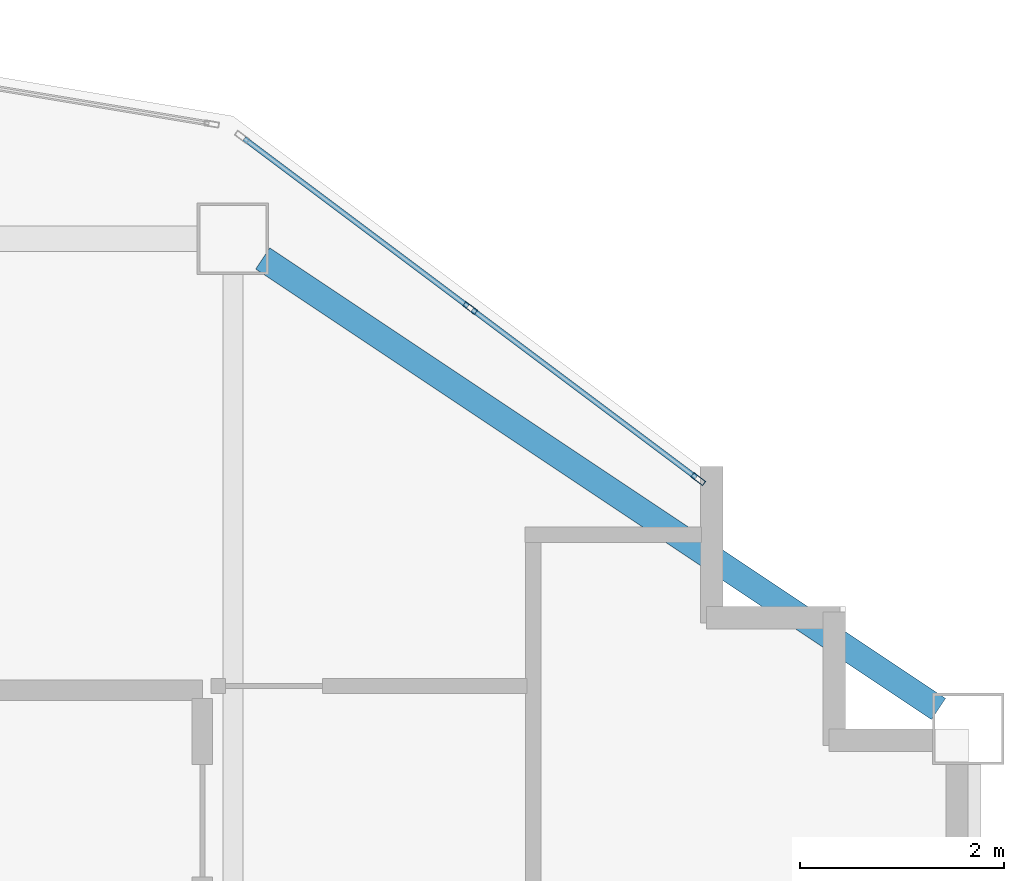
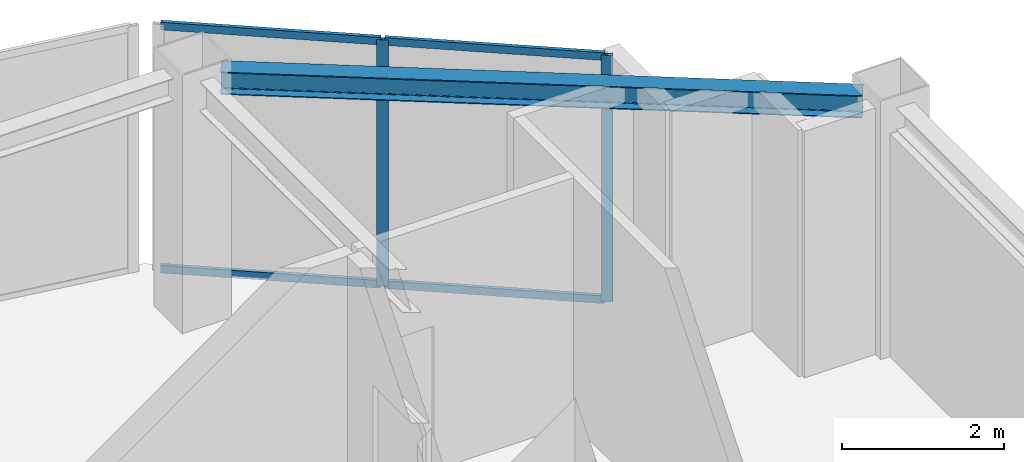
# One storey, part 2 of 8: 6 members, 1 beam, 1 element without a shape of its own.
"""IFC4 building model written with IfcOpenShell, lengths in metres."""

from ifc_helpers import new_model, si_unit, direction, frame, origin, origin_2d, place, context, subcontext, project, spatial, hollow_rectangle, i_section, extrude, material, layer, layer_set, material_profile, profile_set, type_object, element, aggregate, save


model = new_model("IFC4")

# Units and contexts
model_context = context("Model", 3, precision=1e-05, world=origin(), true_north=direction((0.0, 1.0)))
body_context = subcontext(model_context, "Body", "Model", "MODEL_VIEW")
ifc_project = project(units=[si_unit("LENGTHUNIT", "METRE"), si_unit("AREAUNIT", "SQUARE_METRE"), si_unit("VOLUMEUNIT", "CUBIC_METRE"), si_unit("PLANEANGLEUNIT", "RADIAN"), si_unit("MASSUNIT", "GRAM", prefix="KILO")], contexts=[model_context])

# Site, building, storey
site_placement = place(None, origin())
site = spatial("IfcSite", under=ifc_project, at=site_placement, CompositionType="ELEMENT")
building_placement = place(site_placement, origin())
building = spatial("IfcBuilding", under=site, at=building_placement, Name="Haolan Belvedere Tower", CompositionType="ELEMENT")
storey_placement = place(building_placement, frame((0.0, 0.0, 301.699951171875)))
storey = spatial("IfcBuildingStorey", under=building, at=storey_placement, Name="L76", CompositionType="ELEMENT", Elevation=301.699951171875)

# Beam
ifc_material_1 = material(Name="Steel Q355B", Category="steel")
ifc_material_profile_1 = material_profile(ifc_material_1, i_section(OverallWidth=0.25, OverallDepth=0.340087890625, WebThickness=0.009033203125, FlangeThickness=0.013916015625, FilletRadius=0.02001953125, at=origin_2d()), Name="Steel Q355B")
ifc_profile_set_1 = profile_set([ifc_material_profile_1], Name="Steel Q355B")
beam_type = type_object("IfcBeamType", Name="BM-HM340x250x9x14", PredefinedType="SPANDREL", material=ifc_profile_set_1)
beam_placement = place(storey_placement, frame((45.89111328125, 50.205810546875, 3.550048828125), z_axis=(0.832059739299, -0.554686028522, 0.0), x_axis=(0.554686028522, 0.832059739299, 0.0)))
element("IfcBeam", 1, at=beam_placement, inside=storey, type_object=beam_type, Name="L76 spandrel girder MC-T3-N2-MC-T3-NE", PredefinedType="SPANDREL", context=body_context, shape_type="SweptSolid", body=[
    extrude(i_section(OverallWidth=0.25, OverallDepth=0.340087890625, WebThickness=0.009033203125, FlangeThickness=0.013916015625, FilletRadius=0.02001953125, at=origin_2d()), origin(), (0.0, 0.0, 1.0), 7.953369140625),
])

# Curtain wall, members
ifc_material_2 = material(Name="Anodised champagne-silver aluminium 6063-T6 and Low-E glass", Category="aluminium")
ifc_layer = layer(ifc_material_2, 0.14501953125, Name="Anodised champagne-silver aluminium 6063-T6 and Low-E glass")
ifc_layer_set = layer_set([ifc_layer], Name="Anodised champagne-silver aluminium 6063-T6 and Low-E glass")
curtain_wall_type = type_object("IfcCurtainWallType", Name="CW-SYS-05", PredefinedType="NOTDEFINED", material=ifc_layer_set)
curtain_wall_placement = place(storey_placement, origin())
curtain_wall = element("IfcCurtainWall", 2, at=curtain_wall_placement, inside=storey, type_object=curtain_wall_type, Name="L76 CW-SYS-05 ribbon curtain wall 8.1", PredefinedType="NOTDEFINED")
ifc_material_3 = material(Name="Anodised aluminium 6063-T6", Category="aluminium")
ifc_material_profile_2 = material_profile(ifc_material_3, hollow_rectangle(XDim=0.053955078125, YDim=0.14501953125, WallThickness=0.00390625, at=origin_2d()), Name="Anodised aluminium 6063-T6")
ifc_profile_set_2 = profile_set([ifc_material_profile_2], Name="Anodised aluminium 6063-T6")
member_type_1 = type_object("IfcMemberType", Name="CW-SYS-05-MUL", PredefinedType="MULLION", material=ifc_profile_set_2)
member_1_placement = place(storey_placement, frame((50.156494140625, 48.045166015625, 0.0), z_axis=(0.0, 0.0, 1.0), x_axis=(-0.600002837806, -0.799997871638, 0.0)))
member_1 = element("IfcMember", 3, at=member_1_placement, type_object=member_type_1, Name="CW-05 mullion 1", PredefinedType="MULLION", context=body_context, shape_type="SweptSolid", body=[
    extrude(hollow_rectangle(XDim=0.053955078125, YDim=0.14501953125, WallThickness=0.00390625, at=origin_2d()), origin(), (0.0, 0.0, 1.0), 3.719970703125),
])
member_2_placement = place(storey_placement, frame((47.9228515625, 49.720458984375, 0.0), z_axis=(0.0, 0.0, 1.0), x_axis=(-0.600002837806, -0.799997871638, 0.0)))
member_2 = element("IfcMember", 4, at=member_2_placement, type_object=member_type_1, Name="CW-05 mullion 2", PredefinedType="MULLION", context=body_context, shape_type="SweptSolid", body=[
    extrude(hollow_rectangle(XDim=0.053955078125, YDim=0.14501953125, WallThickness=0.00390625, at=origin_2d()), origin(), (0.0, 0.0, 1.0), 3.719970703125),
])
ifc_material_profile_3 = material_profile(ifc_material_3, hollow_rectangle(XDim=0.050048828125, YDim=0.114990234375, WallThickness=0.00390625, at=origin_2d()), Name="Anodised aluminium 6063-T6")
ifc_profile_set_3 = profile_set([ifc_material_profile_3], Name="Anodised aluminium 6063-T6")
member_type_2 = type_object("IfcMemberType", Name="CW-SYS-05-TRN", PredefinedType="USERDEFINED", material=ifc_profile_set_3)
member_3_placement = place(storey_placement, frame((50.134765625, 48.061279296875, 0.025146484375), z_axis=(-0.799957200433, 0.60005706185, 0.0), x_axis=(-0.60005706185, -0.799957200433, 0.0)))
member_3 = element("IfcMember", 5, at=member_3_placement, type_object=member_type_2, Name="CW-05 transom 1.1", ObjectType="TRANSOM", PredefinedType="USERDEFINED", context=body_context, shape_type="SweptSolid", body=[
    extrude(hollow_rectangle(XDim=0.050048828125, YDim=0.114990234375, WallThickness=0.00390625, at=origin_2d()), origin(), (0.0, 0.0, 1.0), 2.73828125),
])
member_4_placement = place(storey_placement, frame((50.134765625, 48.061279296875, 3.695068359375), z_axis=(-0.799957200433, 0.60005706185, 0.0), x_axis=(-0.60005706185, -0.799957200433, 0.0)))
member_4 = element("IfcMember", 6, at=member_4_placement, type_object=member_type_2, Name="CW-05 transom 1.2", ObjectType="TRANSOM", PredefinedType="USERDEFINED", context=body_context, shape_type="SweptSolid", body=[
    extrude(hollow_rectangle(XDim=0.050048828125, YDim=0.114990234375, WallThickness=0.00390625, at=origin_2d()), origin(), (0.0, 0.0, 1.0), 2.73828125),
])
member_5_placement = place(storey_placement, frame((47.901123046875, 49.736572265625, 0.025146484375), z_axis=(-0.8, 0.6, 0.0), x_axis=(-0.6, -0.8, 0.0)))
member_5 = element("IfcMember", 7, at=member_5_placement, type_object=member_type_2, Name="CW-05 transom 2.1", ObjectType="TRANSOM", PredefinedType="USERDEFINED", context=body_context, shape_type="SweptSolid", body=[
    extrude(hollow_rectangle(XDim=0.050048828125, YDim=0.114990234375, WallThickness=0.00390625, at=origin_2d()), origin(), (0.0, 0.0, 1.0), 2.738037109375),
])
member_6_placement = place(storey_placement, frame((47.901123046875, 49.736572265625, 3.695068359375), z_axis=(-0.8, 0.6, 0.0), x_axis=(-0.6, -0.8, 0.0)))
member_6 = element("IfcMember", 8, at=member_6_placement, type_object=member_type_2, Name="CW-05 transom 2.2", ObjectType="TRANSOM", PredefinedType="USERDEFINED", context=body_context, shape_type="SweptSolid", body=[
    extrude(hollow_rectangle(XDim=0.050048828125, YDim=0.114990234375, WallThickness=0.00390625, at=origin_2d()), origin(), (0.0, 0.0, 1.0), 2.738037109375),
])
aggregate(curtain_wall, [member_1, member_2, member_3, member_4, member_5, member_6])

save(model, "model.ifc")
